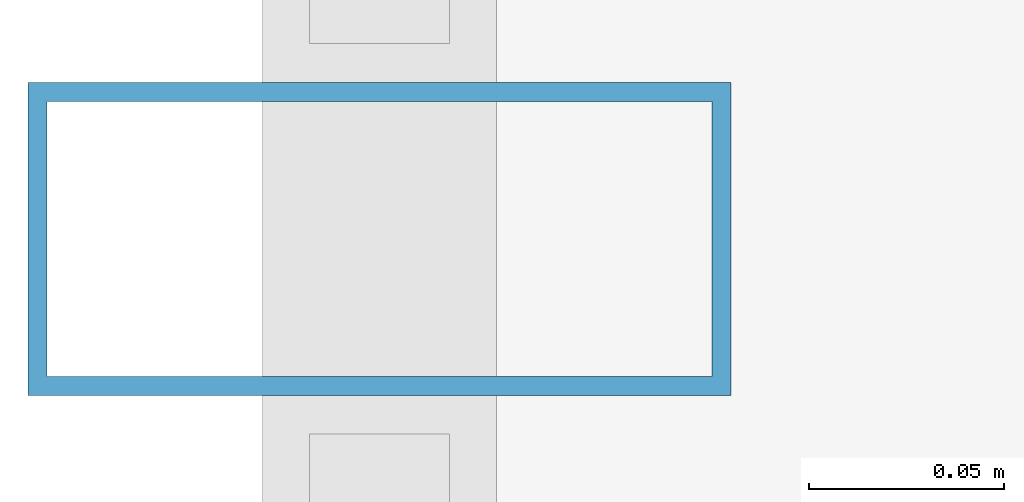
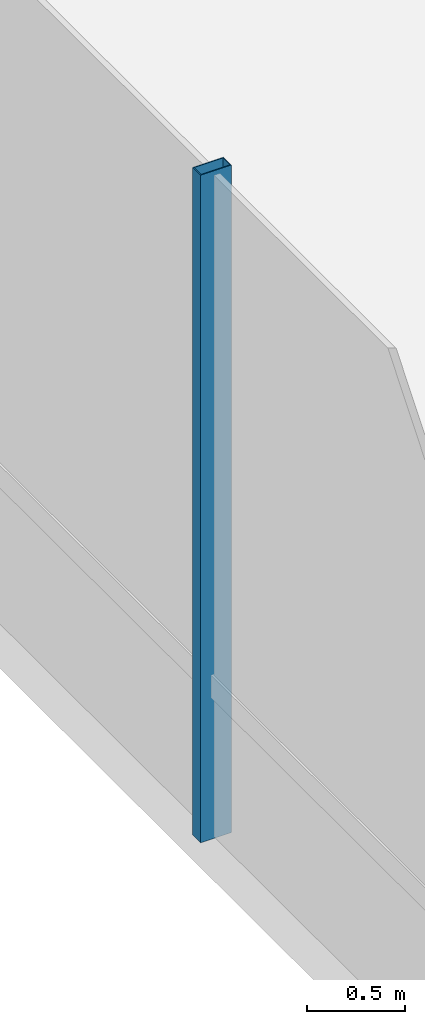
# One storey, part 5 of 37: 1 member, 1 element without a shape of its own.
"""IFC4 building model written with IfcOpenShell, lengths in metres."""

from ifc_helpers import new_model, si_unit, direction, frame, origin, origin_2d, place, context, subcontext, project, spatial, hollow_rectangle, extrude, material, layer, layer_set, material_profile, profile_set, type_object, element, aggregate, save


model = new_model("IFC4")

# Units and contexts
model_context = context("Model", 3, precision=1e-05, world=origin(), true_north=direction((0.0, 1.0)))
body_context = subcontext(model_context, "Body", "Model", "MODEL_VIEW")
ifc_project = project(units=[si_unit("LENGTHUNIT", "METRE"), si_unit("AREAUNIT", "SQUARE_METRE"), si_unit("VOLUMEUNIT", "CUBIC_METRE"), si_unit("PLANEANGLEUNIT", "RADIAN"), si_unit("MASSUNIT", "GRAM", prefix="KILO")], contexts=[model_context])

# Site, building, storey
site_placement = place(None, origin())
site = spatial("IfcSite", under=ifc_project, at=site_placement, CompositionType="ELEMENT")
building_placement = place(site_placement, origin())
building = spatial("IfcBuilding", under=site, at=building_placement, Name="Zarrinselat Tower", CompositionType="ELEMENT")
storey_placement = place(building_placement, frame((0.0, 0.0, 13.93994140625)))
storey = spatial("IfcBuildingStorey", under=building, at=storey_placement, Name="L03", CompositionType="ELEMENT", Elevation=13.93994140625)

# Curtain wall, member
ifc_material_1 = material(Name="Extruded Aluminium Alloy EN AW-6063 T6", Category="aluminium")
ifc_layer = layer(ifc_material_1, 0.2099609375)
ifc_layer_set = layer_set([ifc_layer], Name="Extruded Aluminium Alloy EN AW-6063 T6")
curtain_wall_type = type_object("IfcCurtainWallType", Name="CWS-POD", PredefinedType="NOTDEFINED", material=ifc_layer_set)
curtain_wall_placement = place(storey_placement, origin())
curtain_wall = element("IfcCurtainWall", 1, at=curtain_wall_placement, inside=storey, type_object=curtain_wall_type, Name="L03 Unitised Curtain Wall CW-L03-F7", PredefinedType="NOTDEFINED")
ifc_material_2 = material(Name="Extruded Aluminium Alloy EN AW-6063 T6", Category="aluminium")
ifc_material_profile = material_profile(ifc_material_2, hollow_rectangle(XDim=0.080078125, YDim=0.179931640625, WallThickness=0.0048828125, at=origin_2d()), Name="RHS 180x80x5")
ifc_profile_set = profile_set([ifc_material_profile], Name="Extruded Aluminium Alloy EN AW-6063 T6")
member_type = type_object("IfcMemberType", Name="MEM-CW-MUL", PredefinedType="MULLION", material=ifc_profile_set)
member_placement = place(storey_placement, frame((2.39990234375, 21.3798828125, 0.0), z_axis=(0.0, 0.0, 1.0), x_axis=(0.0, -1.0, 0.0)))
member = element("IfcMember", 2, at=member_placement, type_object=member_type, Name="CW-L03-F7 Mullion 7", PredefinedType="MULLION", context=body_context, shape_type="SweptSolid", body=[
    extrude(hollow_rectangle(XDim=0.080078125, YDim=0.179931640625, WallThickness=0.0048828125, at=origin_2d()), origin(), (0.0, 0.0, 1.0), 4.14013671875),
])
aggregate(curtain_wall, [member])

save(model, "model.ifc")
